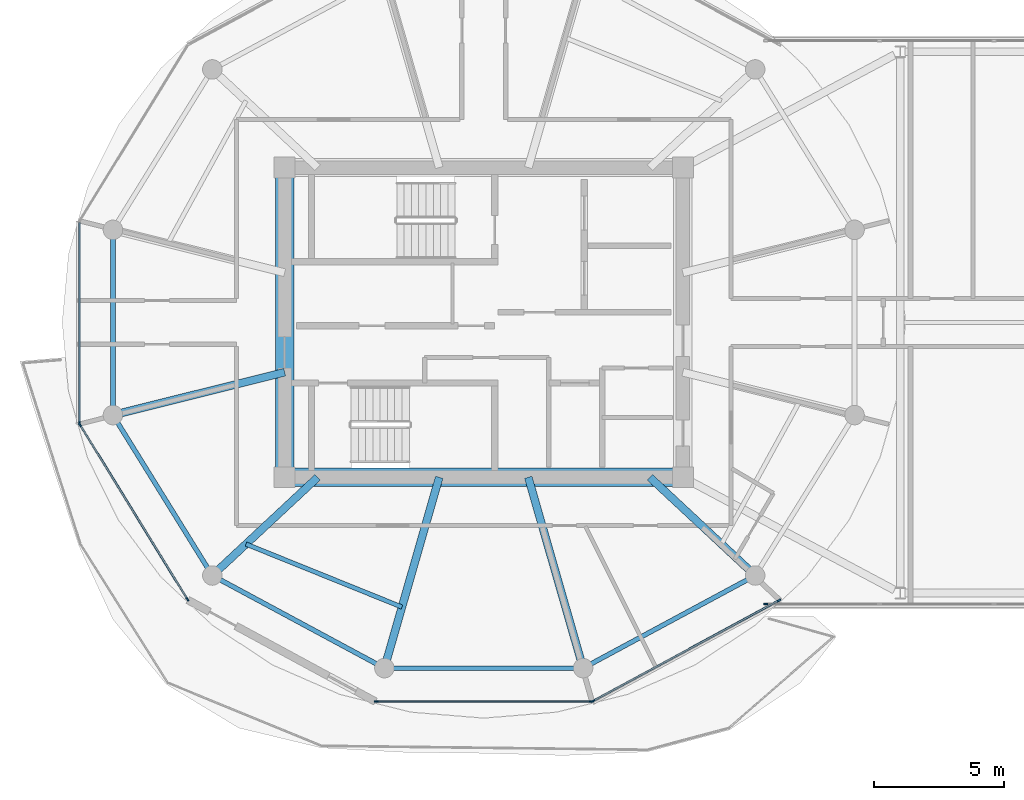
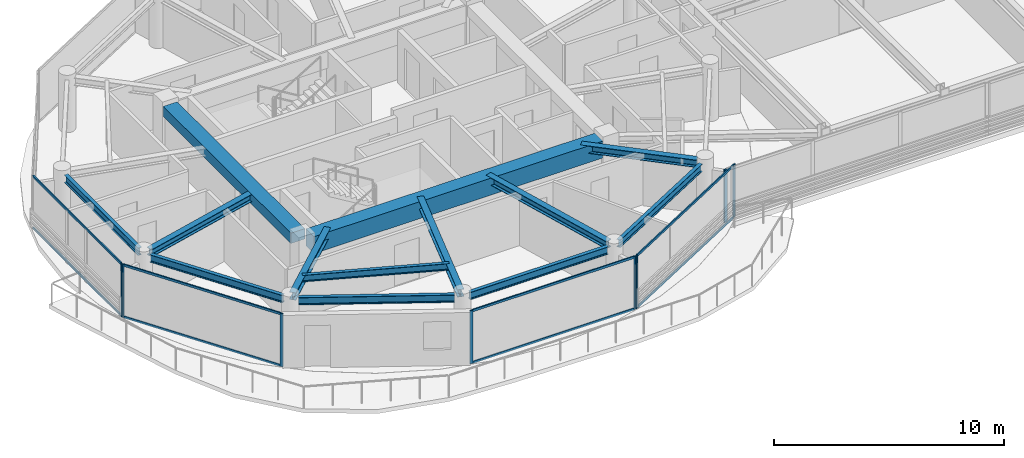
# One storey, part 3 of 23: 16 members, 13 beams, 5 elements without a shape of their own.
"""IFC4 building model written with IfcOpenShell, lengths in metres."""

from ifc_helpers import new_model, si_unit, direction, frame, origin, origin_2d, place, context, subcontext, project, spatial, rectangle, i_section, extrude, source, transform, mapped, material, layer, layer_set, material_profile, profile_set, type_object, type_shapes, element, aggregate, save


model = new_model("IFC4")

# Units and contexts
model_context = context("Model", 3, precision=1e-05, world=origin(), true_north=direction((0.0, 1.0)))
body_context = subcontext(model_context, "Body", "Model", "MODEL_VIEW")
ifc_project = project(units=[si_unit("LENGTHUNIT", "METRE"), si_unit("AREAUNIT", "SQUARE_METRE"), si_unit("VOLUMEUNIT", "CUBIC_METRE"), si_unit("PLANEANGLEUNIT", "RADIAN"), si_unit("MASSUNIT", "GRAM", prefix="KILO")], contexts=[model_context])

# Site, building, storey
site_placement = place(None, origin())
site = spatial("IfcSite", under=ifc_project, at=site_placement, CompositionType="ELEMENT")
building_placement = place(site_placement, origin())
building = spatial("IfcBuilding", under=site, at=building_placement, Name="Norrkilde Senior Care Towers", CompositionType="ELEMENT")
storey_placement = place(building_placement, frame((0.0, 0.0, 229.14990234375)))
storey = spatial("IfcBuildingStorey", under=building, at=storey_placement, Name="L71", CompositionType="ELEMENT", Elevation=229.14990234375)

# Beams
ifc_material_1 = material(Name="Concrete C60/75", Category="concrete")
ifc_material_profile_1 = material_profile(ifc_material_1, rectangle(XDim=0.699951171875, YDim=0.89990234375, at=origin_2d()), Name="RC BM 700x900")
ifc_profile_set_1 = profile_set([ifc_material_profile_1], Name="Concrete C60/75")
beam_type_1 = type_object("IfcBeamType", Name="Core Coupling Girder 700x900", PredefinedType="USERDEFINED", material=ifc_profile_set_1)
shared_shape_1 = source(origin(), body_context, "Body", "SweptSolid", [
    extrude(rectangle(XDim=0.699951171875, YDim=0.89990234375, at=origin_2d()), origin(), (0.0, 0.0, 1.0), 14.5400390625),
])
type_shapes(beam_type_1, [shared_shape_1])
beam_1_placement = place(storey_placement, frame((-35.27001953125, -5.949951171875, 2.360107421875), z_axis=(1.0, 0.0, 0.0), x_axis=(0.0, 1.0, 0.0)))
element("IfcBeam", 1, at=beam_1_placement, inside=storey, type_object=beam_type_1, Name="L71 Core W S Coupling Girder", ObjectType="GIRDER", PredefinedType="USERDEFINED", context=body_context, shape_type="MappedRepresentation", body=[
    mapped(shared_shape_1, transform((0.0, 0.0, 0.0), x_axis=(1.0, 0.0, 0.0), y_axis=(0.0, 1.0, 0.0), z_axis=(0.0, 0.0, 1.0), scale=1.0)),
])
ifc_material_profile_2 = material_profile(ifc_material_1, rectangle(XDim=0.699951171875, YDim=0.550048828125, at=origin_2d()), Name="RC BM 700x550")
ifc_profile_set_2 = profile_set([ifc_material_profile_2], Name="Concrete C60/75")
beam_type_2 = type_object("IfcBeamType", Name="Core Portal Coupling Beam 700x550", PredefinedType="USERDEFINED", material=ifc_profile_set_2)
shared_shape_2 = source(origin(), body_context, "Body", "SweptSolid", [
    extrude(rectangle(XDim=0.699951171875, YDim=0.550048828125, at=origin_2d()), origin(), (0.0, 0.0, 1.0), 11.14013671875),
])
type_shapes(beam_type_2, [shared_shape_2])
beam_2_placement = place(storey_placement, frame((-35.64990234375, -5.570068359375, 2.53515625), z_axis=(0.0, 1.0, 0.0), x_axis=(-1.0, 0.0, 0.0)))
element("IfcBeam", 2, at=beam_2_placement, inside=storey, type_object=beam_type_2, Name="L71 Core W W Coupling Girder", ObjectType="GIRDER", PredefinedType="USERDEFINED", context=body_context, shape_type="MappedRepresentation", body=[
    mapped(shared_shape_2, transform((0.0, 0.0, 0.0), x_axis=(1.0, 0.0, 0.0), y_axis=(0.0, 1.0, 0.0), z_axis=(0.0, 0.0, 1.0), scale=1.0)),
])
ifc_material_2 = material(Name="Steel S355", Category="steel")
ifc_material_profile_3 = material_profile(ifc_material_2, i_section(OverallWidth=0.179931640625, OverallDepth=0.39990234375, WebThickness=0.008544921875, FlangeThickness=0.013427734375, FilletRadius=0.02099609375, at=origin_2d()), Name="IPE 400")
ifc_profile_set_3 = profile_set([ifc_material_profile_3], Name="Steel S355")
beam_type_3 = type_object("IfcBeamType", Name="Perimeter Ring Spandrel Z4 IPE400", PredefinedType="SPANDREL", material=ifc_profile_set_3)
shared_shape_3 = source(origin(), body_context, "Body", "SweptSolid", [
    extrude(i_section(OverallWidth=0.179931640625, OverallDepth=0.39990234375, WebThickness=0.008544921875, FlangeThickness=0.013427734375, FilletRadius=0.02099609375, at=origin_2d()), origin(), (0.0, 0.0, 1.0), 6.58056640625),
])
beam_3_placement = place(storey_placement, frame((-42.071044921875, -3.843505859375, 2.610107421875), z_axis=(0.526529583789, -0.850156807533, 0.0), x_axis=(0.850156807533, 0.526529583789, 0.0)))
element("IfcBeam", 3, at=beam_3_placement, inside=storey, type_object=beam_type_3, Name="L71 Drum W Perimeter Spandrel 07", PredefinedType="SPANDREL", context=body_context, shape_type="MappedRepresentation", body=[
    mapped(shared_shape_3, transform((0.0, 0.0, 0.0), x_axis=(1.0, 0.0, 0.0), y_axis=(0.0, 1.0, 0.0), z_axis=(0.0, 0.0, 1.0), scale=1.0)),
])
ifc_material_profile_4 = material_profile(ifc_material_2, i_section(OverallWidth=0.300048828125, OverallDepth=0.39990234375, WebThickness=0.013427734375, FlangeThickness=0.02392578125, FilletRadius=0.027099609375, at=origin_2d()), Name="HEB 400")
ifc_profile_set_4 = profile_set([ifc_material_profile_4], Name="Steel S355")
beam_type_4 = type_object("IfcBeamType", Name="Radial Floor Beam Z4 HEB400", PredefinedType="BEAM", material=ifc_profile_set_4)
shared_shape_4 = source(origin(), body_context, "Body", "SweptSolid", [
    extrude(i_section(OverallWidth=0.300048828125, OverallDepth=0.39990234375, WebThickness=0.013427734375, FlangeThickness=0.02392578125, FilletRadius=0.027099609375, at=origin_2d()), origin(), (0.0, 0.0, 1.0), 6.465087890625),
])
beam_4_placement = place(storey_placement, frame((-35.64990234375, -1.910888671875, 2.610107421875), z_axis=(-0.970195788563, -0.242322371758, 0.0), x_axis=(0.242322371758, -0.970195788563, 0.0)))
element("IfcBeam", 4, at=beam_4_placement, inside=storey, type_object=beam_type_4, Name="L71 Drum W Radial Floor Beam 07", PredefinedType="BEAM", context=body_context, shape_type="MappedRepresentation", body=[
    mapped(shared_shape_4, transform((0.0, 0.0, 0.0), x_axis=(1.0, 0.0, 0.0), y_axis=(0.0, 1.0, 0.0), z_axis=(0.0, 0.0, 1.0), scale=1.0)),
])
shared_shape_5 = source(origin(), body_context, "Body", "SweptSolid", [
    extrude(i_section(OverallWidth=0.179931640625, OverallDepth=0.39990234375, WebThickness=0.008544921875, FlangeThickness=0.013427734375, FilletRadius=0.02099609375, at=origin_2d()), origin(), (0.0, 0.0, 1.0), 6.839111328125),
])
for number, where, z_axis, x_axis, name in (
    (5, (-38.134765625, -9.881591796875, 2.610107421875), (0.880563930732, -0.473927382511, 0.0), (0.473927382511, 0.880563930732, 0.0), "L71 Drum W Perimeter Spandrel 08"),
    (6, (-23.887451171875, -13.122802734375, 2.610107421875), (0.880563930732, 0.473927382511, 0.0), (-0.473927382511, 0.880563930732, 0.0), "L71 Drum W Perimeter Spandrel 10"),
):
    element("IfcBeam", number, at=place(storey_placement, frame(where, z_axis=z_axis, x_axis=x_axis)), inside=storey, type_object=beam_type_3, Name=name, PredefinedType="SPANDREL", context=body_context, shape_type="MappedRepresentation", body=[
        mapped(shared_shape_5, transform((0.0, 0.0, 0.0), x_axis=(1.0, 0.0, 0.0), y_axis=(0.0, 1.0, 0.0), z_axis=(0.0, 0.0, 1.0), scale=1.0)),
    ])
shared_shape_6 = source(origin(), body_context, "Body", "SweptSolid", [
    extrude(i_section(OverallWidth=0.300048828125, OverallDepth=0.39990234375, WebThickness=0.013427734375, FlangeThickness=0.02392578125, FilletRadius=0.027099609375, at=origin_2d()), origin(), (0.0, 0.0, 1.0), 5.197998046875),
])
for number, where, z_axis, x_axis, name in (
    (7, (-34.3828125, -5.949951171875, 2.610107421875), (-0.731448749334, -0.681896419625, 0.0), (0.681896419625, -0.731448749334, 0.0), "L71 Drum W Radial Floor Beam 08"),
    (8, (-21.6171875, -5.949951171875, 2.610107421875), (0.731448749334, -0.681896419625, 0.0), (0.681896419625, 0.731448749334, 0.0), "L71 Drum W Radial Floor Beam 11"),
):
    element("IfcBeam", number, at=place(storey_placement, frame(where, z_axis=z_axis, x_axis=x_axis)), inside=storey, type_object=beam_type_4, Name=name, PredefinedType="BEAM", context=body_context, shape_type="MappedRepresentation", body=[
        mapped(shared_shape_6, transform((0.0, 0.0, 0.0), x_axis=(1.0, 0.0, 0.0), y_axis=(0.0, 1.0, 0.0), z_axis=(0.0, 0.0, 1.0), scale=1.0)),
    ])
shared_shape_7 = source(origin(), body_context, "Body", "SweptSolid", [
    extrude(i_section(OverallWidth=0.179931640625, OverallDepth=0.39990234375, WebThickness=0.008544921875, FlangeThickness=0.013427734375, FilletRadius=0.02099609375, at=origin_2d()), origin(), (0.0, 0.0, 1.0), 6.96533203125),
])
beam_5_placement = place(storey_placement, frame((-31.482666015625, -13.281494140625, 2.610107421875), z_axis=(1.0, 0.0, 0.0), x_axis=(0.0, 1.0, 0.0)))
element("IfcBeam", 9, at=beam_5_placement, inside=storey, type_object=beam_type_3, Name="L71 Drum W Perimeter Spandrel 09", PredefinedType="SPANDREL", context=body_context, shape_type="MappedRepresentation", body=[
    mapped(shared_shape_7, transform((0.0, 0.0, 0.0), x_axis=(1.0, 0.0, 0.0), y_axis=(0.0, 1.0, 0.0), z_axis=(0.0, 0.0, 1.0), scale=1.0)),
])
shared_shape_8 = source(origin(), body_context, "Body", "SweptSolid", [
    extrude(i_section(OverallWidth=0.300048828125, OverallDepth=0.39990234375, WebThickness=0.013427734375, FlangeThickness=0.02392578125, FilletRadius=0.027099609375, at=origin_2d()), origin(), (0.0, 0.0, 1.0), 7.29345703125),
])
type_shapes(beam_type_4, [shared_shape_4, shared_shape_6, shared_shape_8])
for number, where, z_axis, x_axis, name in (
    (10, (-29.710205078125, -5.949951171875, 2.610107421875), (-0.276263751906, -0.961081858836, 0.0), (0.961081858836, -0.276263751906, 0.0), "L71 Drum W Radial Floor Beam 09"),
    (11, (-26.289794921875, -5.949951171875, 2.610107421875), (0.276263751906, -0.961081858836, 0.0), (0.961081858836, 0.276263751906, 0.0), "L71 Drum W Radial Floor Beam 10"),
):
    element("IfcBeam", number, at=place(storey_placement, frame(where, z_axis=z_axis, x_axis=x_axis)), inside=storey, type_object=beam_type_4, Name=name, PredefinedType="BEAM", context=body_context, shape_type="MappedRepresentation", body=[
        mapped(shared_shape_8, transform((0.0, 0.0, 0.0), x_axis=(1.0, 0.0, 0.0), y_axis=(0.0, 1.0, 0.0), z_axis=(0.0, 0.0, 1.0), scale=1.0)),
    ])
shared_shape_9 = source(origin(), body_context, "Body", "SweptSolid", [
    extrude(i_section(OverallWidth=0.179931640625, OverallDepth=0.39990234375, WebThickness=0.008544921875, FlangeThickness=0.013427734375, FilletRadius=0.02099609375, at=origin_2d()), origin(), (0.0, 0.0, 1.0), 6.44775390625),
])
type_shapes(beam_type_3, [shared_shape_3, shared_shape_5, shared_shape_7, shared_shape_9])
beam_6_placement = place(storey_placement, frame((-42.247314453125, 3.223876953125, 2.610107421875), z_axis=(0.0, -1.0, 0.0), x_axis=(1.0, 0.0, 0.0)))
element("IfcBeam", 12, at=beam_6_placement, inside=storey, type_object=beam_type_3, Name="L71 Drum W Perimeter Spandrel 06", PredefinedType="SPANDREL", context=body_context, shape_type="MappedRepresentation", body=[
    mapped(shared_shape_9, transform((0.0, 0.0, 0.0), x_axis=(1.0, 0.0, 0.0), y_axis=(0.0, 1.0, 0.0), z_axis=(0.0, 0.0, 1.0), scale=1.0)),
])
ifc_material_profile_5 = material_profile(ifc_material_2, i_section(OverallWidth=0.169921875, OverallDepth=0.360107421875, WebThickness=0.008056640625, FlangeThickness=0.0126953125, FilletRadius=0.01806640625, at=origin_2d()), Name="IPE 360")
ifc_profile_set_5 = profile_set([ifc_material_profile_5], Name="Steel S355")
beam_type_5 = type_object("IfcBeamType", Name="Secondary Floor Joist IPE360", PredefinedType="JOIST", material=ifc_profile_set_5)
shared_shape_10 = source(origin(), body_context, "Body", "SweptSolid", [
    extrude(i_section(OverallWidth=0.169921875, OverallDepth=0.360107421875, WebThickness=0.008056640625, FlangeThickness=0.0126953125, FilletRadius=0.01806640625, at=origin_2d()), origin(), (0.0, 0.0, 1.0), 6.461669921875),
])
type_shapes(beam_type_5, [shared_shape_10])
beam_7_placement = place(storey_placement, frame((-37.134765625, -8.515380859375, 2.630126953125), z_axis=(0.927225942298, -0.374502405772, 0.0), x_axis=(0.374502405772, 0.927225942298, 0.0)))
element("IfcBeam", 13, at=beam_7_placement, inside=storey, type_object=beam_type_5, Name="L71 Drum W Secondary Floor Joist 3", PredefinedType="JOIST", context=body_context, shape_type="MappedRepresentation", body=[
    mapped(shared_shape_10, transform((0.0, 0.0, 0.0), x_axis=(1.0, 0.0, 0.0), y_axis=(0.0, 1.0, 0.0), z_axis=(0.0, 0.0, 1.0), scale=1.0)),
])

# Curtain wall, member
ifc_material_3 = material(Name="Triple Low-E Insulated Glazing", Category="glass")
ifc_layer_1 = layer(ifc_material_3, 0.18505859375)
ifc_layer_set_1 = layer_set([ifc_layer_1], Name="Triple Low-E Insulated Glazing")
curtain_wall_type_1 = type_object("IfcCurtainWallType", Name="CW6 Zone 4 Crown Pavilion Curtain Wall", PredefinedType="NOTDEFINED", material=ifc_layer_set_1)
curtain_wall_1_placement = place(storey_placement, origin())
curtain_wall_1 = element("IfcCurtainWall", 14, at=curtain_wall_1_placement, inside=storey, type_object=curtain_wall_type_1, Name="L71 Drum W Curtain Wall 05", PredefinedType="NOTDEFINED")
ifc_material_4 = material(Name="Anodised Aluminium", Category="aluminium")
ifc_material_profile_6 = material_profile(ifc_material_4, rectangle(XDim=0.06494140625, YDim=0.14990234375, at=origin_2d()), Name="ALU MULL 65x150")
ifc_profile_set_6 = profile_set([ifc_material_profile_6], Name="Anodised Aluminium")
member_type_1 = type_object("IfcMemberType", Name="Curtain Wall Mullion Z3-Z4 65x150", PredefinedType="MULLION", material=ifc_profile_set_6)
shared_shape_11 = source(origin(), body_context, "Body", "SweptSolid", [
    extrude(rectangle(XDim=0.06494140625, YDim=0.14990234375, at=origin_2d()), origin(), (0.0, 0.0, 1.0), 2.81005859375),
])
type_shapes(member_type_1, [shared_shape_11])
member_1_placement = place(storey_placement, frame((-43.531982421875, -3.87060546875, 0.0), z_axis=(0.0, 0.0, 1.0), x_axis=(-1.0, 0.0, 0.0)))
member_1 = element("IfcMember", 15, at=member_1_placement, type_object=member_type_1, Name="CW-6 mullion 1", PredefinedType="MULLION", context=body_context, shape_type="MappedRepresentation", body=[
    mapped(shared_shape_11, transform((0.0, 0.0, 0.0), x_axis=(1.0, 0.0, 0.0), y_axis=(0.0, 1.0, 0.0), z_axis=(0.0, 0.0, 1.0), scale=1.0)),
])

# Curtain wall, members
curtain_wall_2_placement = place(storey_placement, origin())
curtain_wall_2 = element("IfcCurtainWall", 16, at=curtain_wall_2_placement, inside=storey, type_object=curtain_wall_type_1, Name="L71 Drum W Curtain Wall 06", PredefinedType="NOTDEFINED")
member_2_placement = place(storey_placement, frame((-39.38720703125, -10.635498046875, 0.0), z_axis=(0.0, 0.0, 1.0), x_axis=(-0.851562727283, -0.524252726748, 0.0)))
member_2 = element("IfcMember", 17, at=member_2_placement, type_object=member_type_1, Name="CW-6 mullion 1", PredefinedType="MULLION", context=body_context, shape_type="MappedRepresentation", body=[
    mapped(shared_shape_11, transform((0.0, 0.0, 0.0), x_axis=(1.0, 0.0, 0.0), y_axis=(0.0, 1.0, 0.0), z_axis=(0.0, 0.0, 1.0), scale=1.0)),
])
member_3_placement = place(storey_placement, frame((-43.51513671875, -3.9306640625, 0.0), z_axis=(0.0, 0.0, 1.0), x_axis=(-0.851562727283, -0.524252726748, 0.0)))
member_3 = element("IfcMember", 18, at=member_3_placement, type_object=member_type_1, Name="CW-6 mullion 2", PredefinedType="MULLION", context=body_context, shape_type="MappedRepresentation", body=[
    mapped(shared_shape_11, transform((0.0, 0.0, 0.0), x_axis=(1.0, 0.0, 0.0), y_axis=(0.0, 1.0, 0.0), z_axis=(0.0, 0.0, 1.0), scale=1.0)),
])

curtain_wall_3_placement = place(storey_placement, origin())
curtain_wall_3 = element("IfcCurtainWall", 19, at=curtain_wall_3_placement, inside=storey, type_object=curtain_wall_type_1, Name="L71 Drum W Curtain Wall 08", PredefinedType="NOTDEFINED")
member_4_placement = place(storey_placement, frame((-23.87060546875, -14.566162109375, 0.0), z_axis=(0.0, 0.0, 1.0), x_axis=(0.0, -1.0, 0.0)))
member_4 = element("IfcMember", 20, at=member_4_placement, type_object=member_type_1, Name="CW-6 mullion 1", PredefinedType="MULLION", context=body_context, shape_type="MappedRepresentation", body=[
    mapped(shared_shape_11, transform((0.0, 0.0, 0.0), x_axis=(1.0, 0.0, 0.0), y_axis=(0.0, 1.0, 0.0), z_axis=(0.0, 0.0, 1.0), scale=1.0)),
])
member_5_placement = place(storey_placement, frame((-32.12939453125, -14.566162109375, 0.0), z_axis=(0.0, 0.0, 1.0), x_axis=(0.0, -1.0, 0.0)))
member_5 = element("IfcMember", 21, at=member_5_placement, type_object=member_type_1, Name="CW-6 mullion 2", PredefinedType="MULLION", context=body_context, shape_type="MappedRepresentation", body=[
    mapped(shared_shape_11, transform((0.0, 0.0, 0.0), x_axis=(1.0, 0.0, 0.0), y_axis=(0.0, 1.0, 0.0), z_axis=(0.0, 0.0, 1.0), scale=1.0)),
])

curtain_wall_4_placement = place(storey_placement, origin())
curtain_wall_4 = element("IfcCurtainWall", 22, at=curtain_wall_4_placement, inside=storey, type_object=curtain_wall_type_1, Name="L71 Drum W Curtain Wall 09", PredefinedType="NOTDEFINED")
member_6_placement = place(storey_placement, frame((-16.658203125, -10.6787109375, 0.0), z_axis=(0.0, 0.0, 1.0), x_axis=(0.476132676136, -0.879373455772, 0.0)))
member_6 = element("IfcMember", 23, at=member_6_placement, type_object=member_type_1, Name="CW-6 mullion 1", PredefinedType="MULLION", context=body_context, shape_type="MappedRepresentation", body=[
    mapped(shared_shape_11, transform((0.0, 0.0, 0.0), x_axis=(1.0, 0.0, 0.0), y_axis=(0.0, 1.0, 0.0), z_axis=(0.0, 0.0, 1.0), scale=1.0)),
])
member_7_placement = place(storey_placement, frame((-23.8095703125, -14.55078125, 0.0), z_axis=(0.0, 0.0, 1.0), x_axis=(0.476132676136, -0.879373455772, 0.0)))
member_7 = element("IfcMember", 24, at=member_7_placement, type_object=member_type_1, Name="CW-6 mullion 2", PredefinedType="MULLION", context=body_context, shape_type="MappedRepresentation", body=[
    mapped(shared_shape_11, transform((0.0, 0.0, 0.0), x_axis=(1.0, 0.0, 0.0), y_axis=(0.0, 1.0, 0.0), z_axis=(0.0, 0.0, 1.0), scale=1.0)),
])

# Member
ifc_material_profile_7 = material_profile(ifc_material_4, rectangle(XDim=0.06005859375, YDim=0.1201171875, at=origin_2d()), Name="ALU TRAN 60x120")
ifc_profile_set_7 = profile_set([ifc_material_profile_7], Name="Anodised Aluminium")
member_type_2 = type_object("IfcMemberType", Name="Curtain Wall Transom Typical 60x120", PredefinedType="USERDEFINED", material=ifc_profile_set_7)
shared_shape_12 = source(origin(), body_context, "Body", "SweptSolid", [
    extrude(rectangle(XDim=0.06005859375, YDim=0.1201171875, at=origin_2d()), origin(), (0.0, 0.0, 1.0), 7.808837890625),
])
member_8_placement = place(storey_placement, frame((-39.404296875, -10.60791015625, 0.030029296875), z_axis=(-0.524250924101, 0.851563837055, 0.0), x_axis=(-0.851563837055, -0.524250924101, 0.0)))
member_8 = element("IfcMember", 25, at=member_8_placement, type_object=member_type_2, Name="CW-6 transom 1.1", ObjectType="TRANSOM", PredefinedType="USERDEFINED", context=body_context, shape_type="MappedRepresentation", body=[
    mapped(shared_shape_12, transform((0.0, 0.0, 0.0), x_axis=(1.0, 0.0, 0.0), y_axis=(0.0, 1.0, 0.0), z_axis=(0.0, 0.0, 1.0), scale=1.0)),
])

member_9_placement = place(storey_placement, frame((-39.404296875, -10.60791015625, 2.780029296875), z_axis=(-0.524250924101, 0.851563837055, 0.0), x_axis=(-0.851563837055, -0.524250924101, 0.0)))
member_9 = element("IfcMember", 26, at=member_9_placement, type_object=member_type_2, Name="CW-6 transom 1.2", ObjectType="TRANSOM", PredefinedType="USERDEFINED", context=body_context, shape_type="MappedRepresentation", body=[
    mapped(shared_shape_12, transform((0.0, 0.0, 0.0), x_axis=(1.0, 0.0, 0.0), y_axis=(0.0, 1.0, 0.0), z_axis=(0.0, 0.0, 1.0), scale=1.0)),
])

aggregate(curtain_wall_2, [member_2, member_3, member_8, member_9])

shared_shape_13 = source(origin(), body_context, "Body", "SweptSolid", [
    extrude(rectangle(XDim=0.06005859375, YDim=0.1201171875, at=origin_2d()), origin(), (0.0, 0.0, 1.0), 8.19384765625),
])
member_10_placement = place(storey_placement, frame((-23.903076171875, -14.566162109375, 0.030029296875), z_axis=(-1.0, 0.0, 0.0), x_axis=(0.0, -1.0, 0.0)))
member_10 = element("IfcMember", 27, at=member_10_placement, type_object=member_type_2, Name="CW-6 transom 1.1", ObjectType="TRANSOM", PredefinedType="USERDEFINED", context=body_context, shape_type="MappedRepresentation", body=[
    mapped(shared_shape_13, transform((0.0, 0.0, 0.0), x_axis=(1.0, 0.0, 0.0), y_axis=(0.0, 1.0, 0.0), z_axis=(0.0, 0.0, 1.0), scale=1.0)),
])

member_11_placement = place(storey_placement, frame((-23.903076171875, -14.566162109375, 2.780029296875), z_axis=(-1.0, 0.0, 0.0), x_axis=(0.0, -1.0, 0.0)))
member_11 = element("IfcMember", 28, at=member_11_placement, type_object=member_type_2, Name="CW-6 transom 1.2", ObjectType="TRANSOM", PredefinedType="USERDEFINED", context=body_context, shape_type="MappedRepresentation", body=[
    mapped(shared_shape_13, transform((0.0, 0.0, 0.0), x_axis=(1.0, 0.0, 0.0), y_axis=(0.0, 1.0, 0.0), z_axis=(0.0, 0.0, 1.0), scale=1.0)),
])

aggregate(curtain_wall_3, [member_4, member_5, member_10, member_11])

shared_shape_14 = source(origin(), body_context, "Body", "SweptSolid", [
    extrude(rectangle(XDim=0.06005859375, YDim=0.1201171875, at=origin_2d()), origin(), (0.0, 0.0, 1.0), 8.0673828125),
])
member_12_placement = place(storey_placement, frame((-16.686767578125, -10.694091796875, 0.030029296875), z_axis=(-0.87937750072, -0.476125205411, 0.0), x_axis=(0.476125205411, -0.87937750072, 0.0)))
member_12 = element("IfcMember", 29, at=member_12_placement, type_object=member_type_2, Name="CW-6 transom 1.1", ObjectType="TRANSOM", PredefinedType="USERDEFINED", context=body_context, shape_type="MappedRepresentation", body=[
    mapped(shared_shape_14, transform((0.0, 0.0, 0.0), x_axis=(1.0, 0.0, 0.0), y_axis=(0.0, 1.0, 0.0), z_axis=(0.0, 0.0, 1.0), scale=1.0)),
])

member_13_placement = place(storey_placement, frame((-16.686767578125, -10.694091796875, 2.780029296875), z_axis=(-0.87937750072, -0.476125205411, 0.0), x_axis=(0.476125205411, -0.87937750072, 0.0)))
member_13 = element("IfcMember", 30, at=member_13_placement, type_object=member_type_2, Name="CW-6 transom 1.2", ObjectType="TRANSOM", PredefinedType="USERDEFINED", context=body_context, shape_type="MappedRepresentation", body=[
    mapped(shared_shape_14, transform((0.0, 0.0, 0.0), x_axis=(1.0, 0.0, 0.0), y_axis=(0.0, 1.0, 0.0), z_axis=(0.0, 0.0, 1.0), scale=1.0)),
])

aggregate(curtain_wall_4, [member_6, member_7, member_12, member_13])

shared_shape_15 = source(origin(), body_context, "Body", "SweptSolid", [
    extrude(rectangle(XDim=0.06005859375, YDim=0.1201171875, at=origin_2d()), origin(), (0.0, 0.0, 1.0), 7.67578125),
])
type_shapes(member_type_2, [shared_shape_12, shared_shape_13, shared_shape_14, shared_shape_15])
member_14_placement = place(storey_placement, frame((-43.531982421875, -3.837890625, 0.030029296875), z_axis=(0.0, 1.0, 0.0), x_axis=(-1.0, 0.0, 0.0)))
member_14 = element("IfcMember", 31, at=member_14_placement, type_object=member_type_2, Name="CW-6 transom 1.1", ObjectType="TRANSOM", PredefinedType="USERDEFINED", context=body_context, shape_type="MappedRepresentation", body=[
    mapped(shared_shape_15, transform((0.0, 0.0, 0.0), x_axis=(1.0, 0.0, 0.0), y_axis=(0.0, 1.0, 0.0), z_axis=(0.0, 0.0, 1.0), scale=1.0)),
])

member_15_placement = place(storey_placement, frame((-43.531982421875, -3.837890625, 2.780029296875), z_axis=(0.0, 1.0, 0.0), x_axis=(-1.0, 0.0, 0.0)))
member_15 = element("IfcMember", 32, at=member_15_placement, type_object=member_type_2, Name="CW-6 transom 1.2", ObjectType="TRANSOM", PredefinedType="USERDEFINED", context=body_context, shape_type="MappedRepresentation", body=[
    mapped(shared_shape_15, transform((0.0, 0.0, 0.0), x_axis=(1.0, 0.0, 0.0), y_axis=(0.0, 1.0, 0.0), z_axis=(0.0, 0.0, 1.0), scale=1.0)),
])

aggregate(curtain_wall_1, [member_1, member_14, member_15])

# Curtain wall, member
ifc_layer_2 = layer(ifc_material_3, 0.2099609375)
ifc_layer_set_2 = layer_set([ifc_layer_2], Name="Triple Low-E Insulated Glazing")
curtain_wall_type_2 = type_object("IfcCurtainWallType", Name="CW5 Sky-Gate Bridge Curtain Wall", PredefinedType="NOTDEFINED", material=ifc_layer_set_2)
curtain_wall_5_placement = place(storey_placement, origin())
curtain_wall_5 = element("IfcCurtainWall", 33, at=curtain_wall_5_placement, inside=storey, type_object=curtain_wall_type_2, Name="L71 Sky-Gate Bridge South Curtain Wall 3", PredefinedType="NOTDEFINED")
ifc_material_profile_8 = material_profile(ifc_material_4, rectangle(XDim=0.070068359375, YDim=0.169921875, at=origin_2d()), Name="ALU MULL 70x170")
ifc_profile_set_8 = profile_set([ifc_material_profile_8], Name="Anodised Aluminium")
member_type_3 = type_object("IfcMemberType", Name="Curtain Wall Mullion Heavy 70x170", PredefinedType="MULLION", material=ifc_profile_set_8)
shared_shape_16 = source(origin(), body_context, "Body", "SweptSolid", [
    extrude(rectangle(XDim=0.070068359375, YDim=0.169921875, at=origin_2d()), origin(), (0.0, 0.0, 1.0), 2.81005859375),
])
type_shapes(member_type_3, [shared_shape_16])
member_16_placement = place(storey_placement, frame((-17.1650390625, -10.820068359375, 0.0), z_axis=(0.0, 0.0, 1.0), x_axis=(0.0, -1.0, 0.0)))
member_16 = element("IfcMember", 34, at=member_16_placement, type_object=member_type_3, Name="CW-5 mullion 4", PredefinedType="MULLION", context=body_context, shape_type="MappedRepresentation", body=[
    mapped(shared_shape_16, transform((0.0, 0.0, 0.0), x_axis=(1.0, 0.0, 0.0), y_axis=(0.0, 1.0, 0.0), z_axis=(0.0, 0.0, 1.0), scale=1.0)),
])
aggregate(curtain_wall_5, [member_16])

save(model, "model.ifc")
